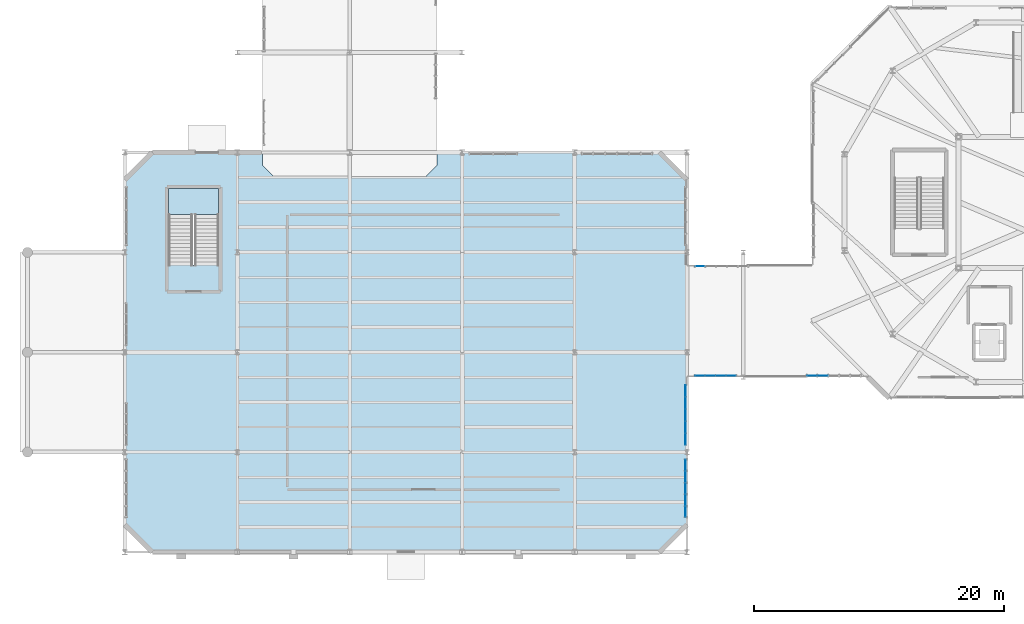
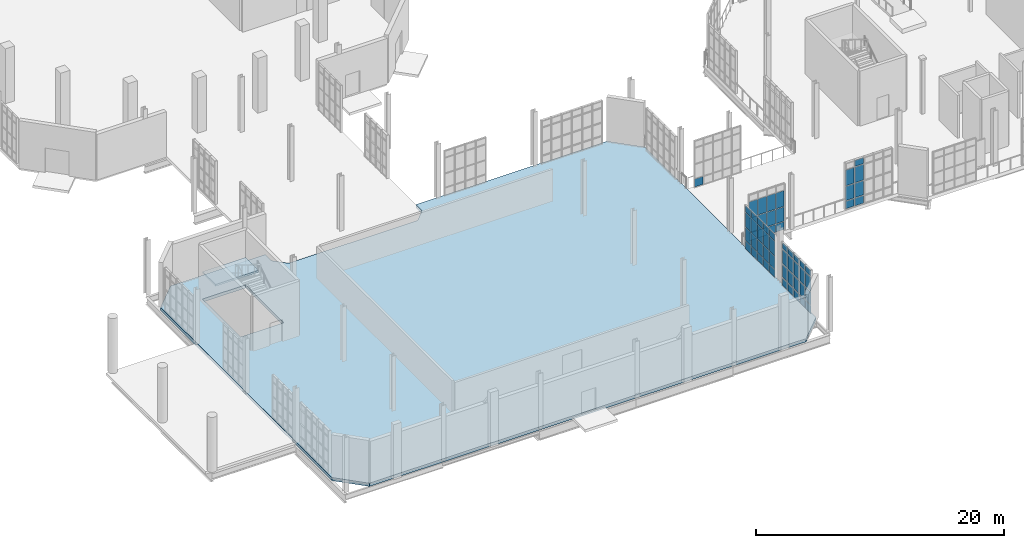
# One storey, part 142 of 189: 60 plates, 2 slabs, 6 elements without a shape of their own.
"""IFC4 building model written with IfcOpenShell, lengths in metres."""

from ifc_helpers import new_model, si_unit, direction, frame, origin, origin_2d, place, context, subcontext, project, spatial, polyline, rectangle, outline, extrude, material, layer, layer_set, type_object, element, aggregate, save


model = new_model("IFC4")

# Units and contexts
model_context = context("Model", 3, precision=1e-05, world=origin(), true_north=direction((0.0, 1.0)))
body_context = subcontext(model_context, "Body", "Model", "MODEL_VIEW")
ifc_project = project(units=[si_unit("LENGTHUNIT", "METRE"), si_unit("AREAUNIT", "SQUARE_METRE"), si_unit("VOLUMEUNIT", "CUBIC_METRE"), si_unit("PLANEANGLEUNIT", "RADIAN"), si_unit("MASSUNIT", "GRAM", prefix="KILO"), si_unit("THERMODYNAMICTEMPERATUREUNIT", "KELVIN"), si_unit("POWERUNIT", "WATT")], contexts=[model_context])

# Site, building, storey
site_placement = place(None, origin())
site = spatial("IfcSite", under=ifc_project, at=site_placement, CompositionType="ELEMENT")
building_placement = place(site_placement, origin())
building = spatial("IfcBuilding", under=site, at=building_placement, Name="Zelmaris Science Centre", CompositionType="ELEMENT")
storey_placement = place(building_placement, origin())
storey = spatial("IfcBuildingStorey", under=building, at=storey_placement, Name="L00", CompositionType="ELEMENT", Elevation=0.0)

# Curtain wall, plates
ifc_material_1 = material(Name="Anodised architectural aluminium 6063-T6", Category="aluminium")
ifc_layer_1 = layer(ifc_material_1, 0.18994140625, Name="Anodised architectural aluminium 6063-T6")
ifc_layer_set_1 = layer_set([ifc_layer_1], Name="Anodised architectural aluminium 6063-T6")
curtain_wall_type_1 = type_object("IfcCurtainWallType", Name="Curtain Wall CW-01", PredefinedType="USERDEFINED", material=ifc_layer_set_1)
curtain_wall_1_placement = place(storey_placement, origin())
curtain_wall_1 = element("IfcCurtainWall", 1, at=curtain_wall_1_placement, inside=storey, type_object=curtain_wall_type_1, Name="L00 Unitised curtain wall 121", ObjectType="GLAZED CURTAIN WALL", PredefinedType="USERDEFINED")
ifc_material_2 = material(Name="Laminated hurricane-rated low-E insulated glazing", Category="glass")
ifc_layer_2 = layer(ifc_material_2, 0.031982421875, Name="Laminated hurricane-rated low-E insulated glazing")
ifc_layer_set_2 = layer_set([ifc_layer_2], Name="Laminated hurricane-rated low-E insulated glazing")
plate_type_1 = type_object("IfcPlateType", Name="Curtain Glazing Panel CWP-1 32mm", PredefinedType="CURTAIN_PANEL", material=ifc_layer_set_2)
plate_1_placement = place(storey_placement, frame((64.86767578125, 22.119873046875, 0.05712890625), z_axis=(0.0, 0.0, 1.0), x_axis=(-0.999999999741, 2.2776442e-05, 0.0)))
plate_1 = element("IfcPlate", 2, at=plate_1_placement, type_object=plate_type_1, Name="CW-01 panel 4.1", PredefinedType="CURTAIN_PANEL", context=body_context, shape_type="SweptSolid", body=[
    extrude(rectangle(XDim=0.80615234375, YDim=0.031982421875, at=origin_2d()), origin(), (0.0, 0.0, 1.0), 0.741943359375),
])
plate_2_placement = place(storey_placement, frame((64.86767578125, 22.119873046875, 0.87109375), z_axis=(0.0, 0.0, 1.0), x_axis=(-0.999999999741, 2.2776442e-05, 0.0)))
plate_2 = element("IfcPlate", 3, at=plate_2_placement, type_object=plate_type_1, Name="CW-01 panel 4.2", PredefinedType="CURTAIN_PANEL", context=body_context, shape_type="SweptSolid", body=[
    extrude(rectangle(XDim=0.80615234375, YDim=0.031982421875, at=origin_2d()), origin(), (0.0, 0.0, 1.0), 1.385498046875),
])
plate_3_placement = place(storey_placement, frame((64.86767578125, 22.119873046875, 2.32861328125), z_axis=(0.0, 0.0, 1.0), x_axis=(-0.999999999741, 2.2776442e-05, 0.0)))
plate_3 = element("IfcPlate", 4, at=plate_3_placement, type_object=plate_type_1, Name="CW-01 panel 4.3", PredefinedType="CURTAIN_PANEL", context=body_context, shape_type="SweptSolid", body=[
    extrude(rectangle(XDim=0.80615234375, YDim=0.031982421875, at=origin_2d()), origin(), (0.0, 0.0, 1.0), 1.535400390625),
])
plate_4_placement = place(storey_placement, frame((64.86767578125, 22.119873046875, 3.93603515625), z_axis=(0.0, 0.0, 1.0), x_axis=(-0.999999999741, 2.2776442e-05, 0.0)))
plate_4 = element("IfcPlate", 5, at=plate_4_placement, type_object=plate_type_1, Name="CW-01 panel 4.4", PredefinedType="CURTAIN_PANEL", context=body_context, shape_type="SweptSolid", body=[
    extrude(rectangle(XDim=0.80615234375, YDim=0.031982421875, at=origin_2d()), origin(), (0.0, 0.0, 1.0), 0.592041015625),
])
plate_5_placement = place(storey_placement, frame((64.007568359375, 22.119873046875, 0.05712890625), z_axis=(0.0, 0.0, 1.0), x_axis=(-0.999999999741, 2.2776442e-05, 0.0)))
plate_5 = element("IfcPlate", 6, at=plate_5_placement, type_object=plate_type_1, Name="CW-01 panel 5.1", PredefinedType="CURTAIN_PANEL", context=body_context, shape_type="SweptSolid", body=[
    extrude(rectangle(XDim=0.77001953125, YDim=0.031982421875, at=origin_2d()), origin(), (0.0, 0.0, 1.0), 0.741943359375),
])
plate_6_placement = place(storey_placement, frame((64.007568359375, 22.119873046875, 0.87109375), z_axis=(0.0, 0.0, 1.0), x_axis=(-0.999999999741, 2.2776442e-05, 0.0)))
plate_6 = element("IfcPlate", 7, at=plate_6_placement, type_object=plate_type_1, Name="CW-01 panel 5.2", PredefinedType="CURTAIN_PANEL", context=body_context, shape_type="SweptSolid", body=[
    extrude(rectangle(XDim=0.77001953125, YDim=0.031982421875, at=origin_2d()), origin(), (0.0, 0.0, 1.0), 1.385498046875),
])
plate_7_placement = place(storey_placement, frame((64.007568359375, 22.119873046875, 2.32861328125), z_axis=(0.0, 0.0, 1.0), x_axis=(-0.999999999741, 2.2776442e-05, 0.0)))
plate_7 = element("IfcPlate", 8, at=plate_7_placement, type_object=plate_type_1, Name="CW-01 panel 5.3", PredefinedType="CURTAIN_PANEL", context=body_context, shape_type="SweptSolid", body=[
    extrude(rectangle(XDim=0.77001953125, YDim=0.031982421875, at=origin_2d()), origin(), (0.0, 0.0, 1.0), 1.535400390625),
])
aggregate(curtain_wall_1, [plate_1, plate_2, plate_3, plate_4, plate_5, plate_6, plate_7])

curtain_wall_2_placement = place(storey_placement, origin())
curtain_wall_2 = element("IfcCurtainWall", 9, at=curtain_wall_2_placement, inside=storey, type_object=curtain_wall_type_1, Name="L00 Unitised curtain wall 125", ObjectType="GLAZED CURTAIN WALL", PredefinedType="USERDEFINED")
plate_8_placement = place(storey_placement, frame((53.8798828125, 14.969970703125, 0.05712890625), z_axis=(0.0, 0.0, 1.0), x_axis=(-2.1186447e-05, -0.999999999776, 0.0)))
plate_8 = element("IfcPlate", 10, at=plate_8_placement, type_object=plate_type_1, Name="CW-01 panel 1.1", PredefinedType="CURTAIN_PANEL", context=body_context, shape_type="SweptSolid", body=[
    extrude(rectangle(XDim=0.8359375, YDim=0.031982421875, at=origin_2d()), origin(), (0.0, 0.0, 1.0), 0.741943359375),
])
plate_9_placement = place(storey_placement, frame((53.8798828125, 14.969970703125, 0.87109375), z_axis=(0.0, 0.0, 1.0), x_axis=(-2.1186447e-05, -0.999999999776, 0.0)))
plate_9 = element("IfcPlate", 11, at=plate_9_placement, type_object=plate_type_1, Name="CW-01 panel 1.2", PredefinedType="CURTAIN_PANEL", context=body_context, shape_type="SweptSolid", body=[
    extrude(rectangle(XDim=0.8359375, YDim=0.031982421875, at=origin_2d()), origin(), (0.0, 0.0, 1.0), 1.2509765625),
])
plate_10_placement = place(storey_placement, frame((53.8798828125, 14.969970703125, 2.194091796875), z_axis=(0.0, 0.0, 1.0), x_axis=(-2.1186447e-05, -0.999999999776, 0.0)))
plate_10 = element("IfcPlate", 12, at=plate_10_placement, type_object=plate_type_1, Name="CW-01 panel 1.3", PredefinedType="CURTAIN_PANEL", context=body_context, shape_type="SweptSolid", body=[
    extrude(rectangle(XDim=0.8359375, YDim=0.031982421875, at=origin_2d()), origin(), (0.0, 0.0, 1.0), 1.40087890625),
])
plate_11_placement = place(storey_placement, frame((53.8798828125, 14.969970703125, 3.6669921875), z_axis=(0.0, 0.0, 1.0), x_axis=(-2.1186447e-05, -0.999999999776, 0.0)))
plate_11 = element("IfcPlate", 13, at=plate_11_placement, type_object=plate_type_1, Name="CW-01 panel 1.4", PredefinedType="CURTAIN_PANEL", context=body_context, shape_type="SweptSolid", body=[
    extrude(rectangle(XDim=0.8359375, YDim=0.031982421875, at=origin_2d()), origin(), (0.0, 0.0, 1.0), 0.592041015625),
])
plate_12_placement = place(storey_placement, frame((53.8798828125, 14.0439453125, 0.05712890625), z_axis=(0.0, 0.0, 1.0), x_axis=(-2.1186447e-05, -0.999999999776, 0.0)))
plate_12 = element("IfcPlate", 14, at=plate_12_placement, type_object=plate_type_1, Name="CW-01 panel 2.1", PredefinedType="CURTAIN_PANEL", context=body_context, shape_type="SweptSolid", body=[
    extrude(rectangle(XDim=0.8720703125, YDim=0.031982421875, at=origin_2d()), origin(), (0.0, 0.0, 1.0), 0.741943359375),
])
plate_13_placement = place(storey_placement, frame((53.8798828125, 14.0439453125, 0.87109375), z_axis=(0.0, 0.0, 1.0), x_axis=(-2.1186447e-05, -0.999999999776, 0.0)))
plate_13 = element("IfcPlate", 15, at=plate_13_placement, type_object=plate_type_1, Name="CW-01 panel 2.2", PredefinedType="CURTAIN_PANEL", context=body_context, shape_type="SweptSolid", body=[
    extrude(rectangle(XDim=0.8720703125, YDim=0.031982421875, at=origin_2d()), origin(), (0.0, 0.0, 1.0), 1.2509765625),
])
plate_14_placement = place(storey_placement, frame((53.8798828125, 14.0439453125, 2.194091796875), z_axis=(0.0, 0.0, 1.0), x_axis=(-2.1186447e-05, -0.999999999776, 0.0)))
plate_14 = element("IfcPlate", 16, at=plate_14_placement, type_object=plate_type_1, Name="CW-01 panel 2.3", PredefinedType="CURTAIN_PANEL", context=body_context, shape_type="SweptSolid", body=[
    extrude(rectangle(XDim=0.8720703125, YDim=0.031982421875, at=origin_2d()), origin(), (0.0, 0.0, 1.0), 1.40087890625),
])
plate_15_placement = place(storey_placement, frame((53.8798828125, 14.0439453125, 3.6669921875), z_axis=(0.0, 0.0, 1.0), x_axis=(-2.1186447e-05, -0.999999999776, 0.0)))
plate_15 = element("IfcPlate", 17, at=plate_15_placement, type_object=plate_type_1, Name="CW-01 panel 2.4", PredefinedType="CURTAIN_PANEL", context=body_context, shape_type="SweptSolid", body=[
    extrude(rectangle(XDim=0.8720703125, YDim=0.031982421875, at=origin_2d()), origin(), (0.0, 0.0, 1.0), 0.592041015625),
])
plate_16_placement = place(storey_placement, frame((53.8798828125, 13.10009765625, 0.05712890625), z_axis=(0.0, 0.0, 1.0), x_axis=(-2.1186447e-05, -0.999999999776, 0.0)))
plate_16 = element("IfcPlate", 18, at=plate_16_placement, type_object=plate_type_1, Name="CW-01 panel 3.1", PredefinedType="CURTAIN_PANEL", context=body_context, shape_type="SweptSolid", body=[
    extrude(rectangle(XDim=0.8720703125, YDim=0.031982421875, at=origin_2d()), origin(), (0.0, 0.0, 1.0), 0.741943359375),
])
plate_17_placement = place(storey_placement, frame((53.8798828125, 13.10009765625, 0.87109375), z_axis=(0.0, 0.0, 1.0), x_axis=(-2.1186447e-05, -0.999999999776, 0.0)))
plate_17 = element("IfcPlate", 19, at=plate_17_placement, type_object=plate_type_1, Name="CW-01 panel 3.2", PredefinedType="CURTAIN_PANEL", context=body_context, shape_type="SweptSolid", body=[
    extrude(rectangle(XDim=0.8720703125, YDim=0.031982421875, at=origin_2d()), origin(), (0.0, 0.0, 1.0), 1.2509765625),
])
plate_18_placement = place(storey_placement, frame((53.8798828125, 13.10009765625, 2.194091796875), z_axis=(0.0, 0.0, 1.0), x_axis=(-2.1186447e-05, -0.999999999776, 0.0)))
plate_18 = element("IfcPlate", 20, at=plate_18_placement, type_object=plate_type_1, Name="CW-01 panel 3.3", PredefinedType="CURTAIN_PANEL", context=body_context, shape_type="SweptSolid", body=[
    extrude(rectangle(XDim=0.8720703125, YDim=0.031982421875, at=origin_2d()), origin(), (0.0, 0.0, 1.0), 1.40087890625),
])
plate_19_placement = place(storey_placement, frame((53.8798828125, 13.10009765625, 3.6669921875), z_axis=(0.0, 0.0, 1.0), x_axis=(-2.1186447e-05, -0.999999999776, 0.0)))
plate_19 = element("IfcPlate", 21, at=plate_19_placement, type_object=plate_type_1, Name="CW-01 panel 3.4", PredefinedType="CURTAIN_PANEL", context=body_context, shape_type="SweptSolid", body=[
    extrude(rectangle(XDim=0.8720703125, YDim=0.031982421875, at=origin_2d()), origin(), (0.0, 0.0, 1.0), 0.592041015625),
])
plate_20_placement = place(storey_placement, frame((53.8798828125, 12.156005859375, 0.05712890625), z_axis=(0.0, 0.0, 1.0), x_axis=(-2.1186447e-05, -0.999999999776, 0.0)))
plate_20 = element("IfcPlate", 22, at=plate_20_placement, type_object=plate_type_1, Name="CW-01 panel 4.1", PredefinedType="CURTAIN_PANEL", context=body_context, shape_type="SweptSolid", body=[
    extrude(rectangle(XDim=0.8720703125, YDim=0.031982421875, at=origin_2d()), origin(), (0.0, 0.0, 1.0), 0.741943359375),
])
plate_21_placement = place(storey_placement, frame((53.8798828125, 12.156005859375, 0.87109375), z_axis=(0.0, 0.0, 1.0), x_axis=(-2.1186447e-05, -0.999999999776, 0.0)))
plate_21 = element("IfcPlate", 23, at=plate_21_placement, type_object=plate_type_1, Name="CW-01 panel 4.2", PredefinedType="CURTAIN_PANEL", context=body_context, shape_type="SweptSolid", body=[
    extrude(rectangle(XDim=0.8720703125, YDim=0.031982421875, at=origin_2d()), origin(), (0.0, 0.0, 1.0), 1.2509765625),
])
plate_22_placement = place(storey_placement, frame((53.8798828125, 12.156005859375, 2.194091796875), z_axis=(0.0, 0.0, 1.0), x_axis=(-2.1186447e-05, -0.999999999776, 0.0)))
plate_22 = element("IfcPlate", 24, at=plate_22_placement, type_object=plate_type_1, Name="CW-01 panel 4.3", PredefinedType="CURTAIN_PANEL", context=body_context, shape_type="SweptSolid", body=[
    extrude(rectangle(XDim=0.8720703125, YDim=0.031982421875, at=origin_2d()), origin(), (0.0, 0.0, 1.0), 1.40087890625),
])
plate_23_placement = place(storey_placement, frame((53.8798828125, 12.156005859375, 3.6669921875), z_axis=(0.0, 0.0, 1.0), x_axis=(-2.1186447e-05, -0.999999999776, 0.0)))
plate_23 = element("IfcPlate", 25, at=plate_23_placement, type_object=plate_type_1, Name="CW-01 panel 4.4", PredefinedType="CURTAIN_PANEL", context=body_context, shape_type="SweptSolid", body=[
    extrude(rectangle(XDim=0.8720703125, YDim=0.031982421875, at=origin_2d()), origin(), (0.0, 0.0, 1.0), 0.592041015625),
])
plate_24_placement = place(storey_placement, frame((53.8798828125, 11.22998046875, 0.05712890625), z_axis=(0.0, 0.0, 1.0), x_axis=(-2.1186447e-05, -0.999999999776, 0.0)))
plate_24 = element("IfcPlate", 26, at=plate_24_placement, type_object=plate_type_1, Name="CW-01 panel 5.1", PredefinedType="CURTAIN_PANEL", context=body_context, shape_type="SweptSolid", body=[
    extrude(rectangle(XDim=0.8359375, YDim=0.031982421875, at=origin_2d()), origin(), (0.0, 0.0, 1.0), 0.741943359375),
])
plate_25_placement = place(storey_placement, frame((53.8798828125, 11.22998046875, 0.87109375), z_axis=(0.0, 0.0, 1.0), x_axis=(-2.1186447e-05, -0.999999999776, 0.0)))
plate_25 = element("IfcPlate", 27, at=plate_25_placement, type_object=plate_type_1, Name="CW-01 panel 5.2", PredefinedType="CURTAIN_PANEL", context=body_context, shape_type="SweptSolid", body=[
    extrude(rectangle(XDim=0.8359375, YDim=0.031982421875, at=origin_2d()), origin(), (0.0, 0.0, 1.0), 1.2509765625),
])
plate_26_placement = place(storey_placement, frame((53.8798828125, 11.22998046875, 2.194091796875), z_axis=(0.0, 0.0, 1.0), x_axis=(-2.1186447e-05, -0.999999999776, 0.0)))
plate_26 = element("IfcPlate", 28, at=plate_26_placement, type_object=plate_type_1, Name="CW-01 panel 5.3", PredefinedType="CURTAIN_PANEL", context=body_context, shape_type="SweptSolid", body=[
    extrude(rectangle(XDim=0.8359375, YDim=0.031982421875, at=origin_2d()), origin(), (0.0, 0.0, 1.0), 1.40087890625),
])
plate_27_placement = place(storey_placement, frame((53.8798828125, 11.22998046875, 3.6669921875), z_axis=(0.0, 0.0, 1.0), x_axis=(-2.1186447e-05, -0.999999999776, 0.0)))
plate_27 = element("IfcPlate", 29, at=plate_27_placement, type_object=plate_type_1, Name="CW-01 panel 5.4", PredefinedType="CURTAIN_PANEL", context=body_context, shape_type="SweptSolid", body=[
    extrude(rectangle(XDim=0.8359375, YDim=0.031982421875, at=origin_2d()), origin(), (0.0, 0.0, 1.0), 0.592041015625),
])
aggregate(curtain_wall_2, [plate_8, plate_9, plate_10, plate_11, plate_12, plate_13, plate_14, plate_15, plate_16, plate_17, plate_18, plate_19, plate_20, plate_21, plate_22, plate_23, plate_24, plate_25, plate_26, plate_27])

# Curtain wall, plate
ifc_layer_3 = layer(ifc_material_1, 0.2099609375, Name="Anodised architectural aluminium 6063-T6")
ifc_layer_set_3 = layer_set([ifc_layer_3], Name="Anodised architectural aluminium 6063-T6")
curtain_wall_type_2 = type_object("IfcCurtainWallType", Name="Curtain Wall CW-03", PredefinedType="USERDEFINED", material=ifc_layer_set_3)
curtain_wall_3_placement = place(storey_placement, origin())
curtain_wall_3 = element("IfcCurtainWall", 30, at=curtain_wall_3_placement, inside=storey, type_object=curtain_wall_type_2, Name="L00 Unitised curtain wall 47", ObjectType="GLAZED CURTAIN WALL", PredefinedType="USERDEFINED")
ifc_layer_4 = layer(ifc_material_2, 0.02587890625, Name="Laminated hurricane-rated low-E insulated glazing")
ifc_layer_set_4 = layer_set([ifc_layer_4], Name="Laminated hurricane-rated low-E insulated glazing")
plate_type_2 = type_object("IfcPlateType", Name="Curtain Glazing Panel CWP-3 26mm", PredefinedType="CURTAIN_PANEL", material=ifc_layer_set_4)
plate_28_placement = place(storey_placement, frame((55.037109375, 30.881103515625, 0.0419921875), z_axis=(0.0, 0.0, 1.0), x_axis=(0.999999993381, -0.000115053622, 0.0)))
plate_28 = element("IfcPlate", 31, at=plate_28_placement, type_object=plate_type_2, Name="CW-03 panel 1.1", PredefinedType="CURTAIN_PANEL", context=body_context, shape_type="SweptSolid", body=[
    extrude(rectangle(XDim=0.78369140625, YDim=0.02587890625, at=origin_2d()), origin(), (0.0, 0.0, 1.0), 0.764404296875),
])
aggregate(curtain_wall_3, [plate_28])

# Curtain wall, plates
curtain_wall_4_placement = place(storey_placement, origin())
curtain_wall_4 = element("IfcCurtainWall", 32, at=curtain_wall_4_placement, inside=storey, type_object=curtain_wall_type_2, Name="L00 Unitised curtain wall 123", ObjectType="GLAZED CURTAIN WALL", PredefinedType="USERDEFINED")
plate_29_placement = place(storey_placement, frame((57.525634765625, 22.119873046875, 0.0419921875), z_axis=(0.0, 0.0, 1.0), x_axis=(-0.999999999557, 2.9761913e-05, 0.0)))
plate_29 = element("IfcPlate", 33, at=plate_29_placement, type_object=plate_type_2, Name="CW-03 panel 1.1", PredefinedType="CURTAIN_PANEL", context=body_context, shape_type="SweptSolid", body=[
    extrude(rectangle(XDim=0.75439453125, YDim=0.02587890625, at=origin_2d()), origin(), (0.0, 0.0, 1.0), 0.764404296875),
])
plate_30_placement = place(storey_placement, frame((57.525634765625, 22.119873046875, 0.863525390625), z_axis=(0.0, 0.0, 1.0), x_axis=(-0.999999999557, 2.9761913e-05, 0.0)))
plate_30 = element("IfcPlate", 34, at=plate_30_placement, type_object=plate_type_2, Name="CW-03 panel 1.2", PredefinedType="CURTAIN_PANEL", context=body_context, shape_type="SweptSolid", body=[
    extrude(rectangle(XDim=0.75439453125, YDim=0.02587890625, at=origin_2d()), origin(), (0.0, 0.0, 1.0), 1.400390625),
])
plate_31_placement = place(storey_placement, frame((57.525634765625, 22.119873046875, 2.32080078125), z_axis=(0.0, 0.0, 1.0), x_axis=(-0.999999999557, 2.9761913e-05, 0.0)))
plate_31 = element("IfcPlate", 35, at=plate_31_placement, type_object=plate_type_2, Name="CW-03 panel 1.3", PredefinedType="CURTAIN_PANEL", context=body_context, shape_type="SweptSolid", body=[
    extrude(rectangle(XDim=0.75439453125, YDim=0.02587890625, at=origin_2d()), origin(), (0.0, 0.0, 1.0), 1.550537109375),
])
plate_32_placement = place(storey_placement, frame((56.699951171875, 22.119873046875, 0.0419921875), z_axis=(0.0, 0.0, 1.0), x_axis=(-0.999999999557, 2.9761913e-05, 0.0)))
plate_32 = element("IfcPlate", 36, at=plate_32_placement, type_object=plate_type_2, Name="CW-03 panel 2.1", PredefinedType="CURTAIN_PANEL", context=body_context, shape_type="SweptSolid", body=[
    extrude(rectangle(XDim=0.782958984375, YDim=0.02587890625, at=origin_2d()), origin(), (0.0, 0.0, 1.0), 0.764404296875),
])
plate_33_placement = place(storey_placement, frame((56.699951171875, 22.119873046875, 0.863525390625), z_axis=(0.0, 0.0, 1.0), x_axis=(-0.999999999557, 2.9761913e-05, 0.0)))
plate_33 = element("IfcPlate", 37, at=plate_33_placement, type_object=plate_type_2, Name="CW-03 panel 2.2", PredefinedType="CURTAIN_PANEL", context=body_context, shape_type="SweptSolid", body=[
    extrude(rectangle(XDim=0.782958984375, YDim=0.02587890625, at=origin_2d()), origin(), (0.0, 0.0, 1.0), 1.400390625),
])
plate_34_placement = place(storey_placement, frame((56.699951171875, 22.119873046875, 2.32080078125), z_axis=(0.0, 0.0, 1.0), x_axis=(-0.999999999557, 2.9761913e-05, 0.0)))
plate_34 = element("IfcPlate", 38, at=plate_34_placement, type_object=plate_type_2, Name="CW-03 panel 2.3", PredefinedType="CURTAIN_PANEL", context=body_context, shape_type="SweptSolid", body=[
    extrude(rectangle(XDim=0.782958984375, YDim=0.02587890625, at=origin_2d()), origin(), (0.0, 0.0, 1.0), 1.550537109375),
])
plate_35_placement = place(storey_placement, frame((55.860107421875, 22.119873046875, 0.0419921875), z_axis=(0.0, 0.0, 1.0), x_axis=(-0.999999999557, 2.9761913e-05, 0.0)))
plate_35 = element("IfcPlate", 39, at=plate_35_placement, type_object=plate_type_2, Name="CW-03 panel 3.1", PredefinedType="CURTAIN_PANEL", context=body_context, shape_type="SweptSolid", body=[
    extrude(rectangle(XDim=0.782958984375, YDim=0.02587890625, at=origin_2d()), origin(), (0.0, 0.0, 1.0), 0.764404296875),
])
plate_36_placement = place(storey_placement, frame((55.860107421875, 22.119873046875, 0.863525390625), z_axis=(0.0, 0.0, 1.0), x_axis=(-0.999999999557, 2.9761913e-05, 0.0)))
plate_36 = element("IfcPlate", 40, at=plate_36_placement, type_object=plate_type_2, Name="CW-03 panel 3.2", PredefinedType="CURTAIN_PANEL", context=body_context, shape_type="SweptSolid", body=[
    extrude(rectangle(XDim=0.782958984375, YDim=0.02587890625, at=origin_2d()), origin(), (0.0, 0.0, 1.0), 1.400390625),
])
plate_37_placement = place(storey_placement, frame((55.860107421875, 22.119873046875, 2.32080078125), z_axis=(0.0, 0.0, 1.0), x_axis=(-0.999999999557, 2.9761913e-05, 0.0)))
plate_37 = element("IfcPlate", 41, at=plate_37_placement, type_object=plate_type_2, Name="CW-03 panel 3.3", PredefinedType="CURTAIN_PANEL", context=body_context, shape_type="SweptSolid", body=[
    extrude(rectangle(XDim=0.782958984375, YDim=0.02587890625, at=origin_2d()), origin(), (0.0, 0.0, 1.0), 1.550537109375),
])
plate_38_placement = place(storey_placement, frame((55.0341796875, 22.119873046875, 0.0419921875), z_axis=(0.0, 0.0, 1.0), x_axis=(-0.999999999557, 2.9761913e-05, 0.0)))
plate_38 = element("IfcPlate", 42, at=plate_38_placement, type_object=plate_type_2, Name="CW-03 panel 4.1", PredefinedType="CURTAIN_PANEL", context=body_context, shape_type="SweptSolid", body=[
    extrude(rectangle(XDim=0.75439453125, YDim=0.02587890625, at=origin_2d()), origin(), (0.0, 0.0, 1.0), 0.764404296875),
])
plate_39_placement = place(storey_placement, frame((55.0341796875, 22.119873046875, 0.863525390625), z_axis=(0.0, 0.0, 1.0), x_axis=(-0.999999999557, 2.9761913e-05, 0.0)))
plate_39 = element("IfcPlate", 43, at=plate_39_placement, type_object=plate_type_2, Name="CW-03 panel 4.2", PredefinedType="CURTAIN_PANEL", context=body_context, shape_type="SweptSolid", body=[
    extrude(rectangle(XDim=0.75439453125, YDim=0.02587890625, at=origin_2d()), origin(), (0.0, 0.0, 1.0), 1.400390625),
])
plate_40_placement = place(storey_placement, frame((55.0341796875, 22.119873046875, 2.32080078125), z_axis=(0.0, 0.0, 1.0), x_axis=(-0.999999999557, 2.9761913e-05, 0.0)))
plate_40 = element("IfcPlate", 44, at=plate_40_placement, type_object=plate_type_2, Name="CW-03 panel 4.3", PredefinedType="CURTAIN_PANEL", context=body_context, shape_type="SweptSolid", body=[
    extrude(rectangle(XDim=0.75439453125, YDim=0.02587890625, at=origin_2d()), origin(), (0.0, 0.0, 1.0), 1.550537109375),
])
aggregate(curtain_wall_4, [plate_29, plate_30, plate_31, plate_32, plate_33, plate_34, plate_35, plate_36, plate_37, plate_38, plate_39, plate_40])

ifc_layer_5 = layer(ifc_material_1, 0.219970703125, Name="Anodised architectural aluminium 6063-T6")
ifc_layer_set_5 = layer_set([ifc_layer_5], Name="Anodised architectural aluminium 6063-T6")
curtain_wall_type_3 = type_object("IfcCurtainWallType", Name="Curtain Wall CW-04", PredefinedType="USERDEFINED", material=ifc_layer_set_5)
curtain_wall_5_placement = place(storey_placement, origin())
curtain_wall_5 = element("IfcCurtainWall", 45, at=curtain_wall_5_placement, inside=storey, type_object=curtain_wall_type_3, Name="L00 Unitised curtain wall 124", ObjectType="GLAZED CURTAIN WALL", PredefinedType="USERDEFINED")
ifc_layer_6 = layer(ifc_material_2, 0.02392578125, Name="Laminated hurricane-rated low-E insulated glazing")
ifc_layer_set_6 = layer_set([ifc_layer_6], Name="Laminated hurricane-rated low-E insulated glazing")
plate_type_3 = type_object("IfcPlateType", Name="Curtain Glazing Panel CWP-4 24mm", PredefinedType="CURTAIN_PANEL", material=ifc_layer_set_6)
plate_41_placement = place(storey_placement, frame((53.8798828125, 20.90087890625, 0.037109375), z_axis=(0.0, 0.0, 1.0), x_axis=(0.0, -1.0, 0.0)))
plate_41 = element("IfcPlate", 46, at=plate_41_placement, type_object=plate_type_3, Name="CW-04 panel 1.1", PredefinedType="CURTAIN_PANEL", context=body_context, shape_type="SweptSolid", body=[
    extrude(rectangle(XDim=0.89404296875, YDim=0.02392578125, at=origin_2d()), origin(), (0.0, 0.0, 1.0), 0.77197265625),
])
plate_42_placement = place(storey_placement, frame((53.8798828125, 20.90087890625, 0.861083984375), z_axis=(0.0, 0.0, 1.0), x_axis=(0.0, -1.0, 0.0)))
plate_42 = element("IfcPlate", 47, at=plate_42_placement, type_object=plate_type_3, Name="CW-04 panel 1.2", PredefinedType="CURTAIN_PANEL", context=body_context, shape_type="SweptSolid", body=[
    extrude(rectangle(XDim=0.89404296875, YDim=0.02392578125, at=origin_2d()), origin(), (0.0, 0.0, 1.0), 1.27099609375),
])
plate_43_placement = place(storey_placement, frame((53.8798828125, 20.90087890625, 2.18408203125), z_axis=(0.0, 0.0, 1.0), x_axis=(0.0, -1.0, 0.0)))
plate_43 = element("IfcPlate", 48, at=plate_43_placement, type_object=plate_type_3, Name="CW-04 panel 1.3", PredefinedType="CURTAIN_PANEL", context=body_context, shape_type="SweptSolid", body=[
    extrude(rectangle(XDim=0.89404296875, YDim=0.02392578125, at=origin_2d()), origin(), (0.0, 0.0, 1.0), 1.4208984375),
])
plate_44_placement = place(storey_placement, frame((53.8798828125, 20.90087890625, 3.656982421875), z_axis=(0.0, 0.0, 1.0), x_axis=(0.0, -1.0, 0.0)))
plate_44 = element("IfcPlate", 49, at=plate_44_placement, type_object=plate_type_3, Name="CW-04 panel 1.4", PredefinedType="CURTAIN_PANEL", context=body_context, shape_type="SweptSolid", body=[
    extrude(rectangle(XDim=0.89404296875, YDim=0.02392578125, at=origin_2d()), origin(), (0.0, 0.0, 1.0), 0.6220703125),
])
plate_45_placement = place(storey_placement, frame((53.8798828125, 19.94189453125, 0.037109375), z_axis=(0.0, 0.0, 1.0), x_axis=(0.0, -1.0, 0.0)))
plate_45 = element("IfcPlate", 50, at=plate_45_placement, type_object=plate_type_3, Name="CW-04 panel 2.1", PredefinedType="CURTAIN_PANEL", context=body_context, shape_type="SweptSolid", body=[
    extrude(rectangle(XDim=0.919921875, YDim=0.02392578125, at=origin_2d()), origin(), (0.0, 0.0, 1.0), 0.77197265625),
])
plate_46_placement = place(storey_placement, frame((53.8798828125, 19.94189453125, 0.861083984375), z_axis=(0.0, 0.0, 1.0), x_axis=(0.0, -1.0, 0.0)))
plate_46 = element("IfcPlate", 51, at=plate_46_placement, type_object=plate_type_3, Name="CW-04 panel 2.2", PredefinedType="CURTAIN_PANEL", context=body_context, shape_type="SweptSolid", body=[
    extrude(rectangle(XDim=0.919921875, YDim=0.02392578125, at=origin_2d()), origin(), (0.0, 0.0, 1.0), 1.27099609375),
])
plate_47_placement = place(storey_placement, frame((53.8798828125, 19.94189453125, 2.18408203125), z_axis=(0.0, 0.0, 1.0), x_axis=(0.0, -1.0, 0.0)))
plate_47 = element("IfcPlate", 52, at=plate_47_placement, type_object=plate_type_3, Name="CW-04 panel 2.3", PredefinedType="CURTAIN_PANEL", context=body_context, shape_type="SweptSolid", body=[
    extrude(rectangle(XDim=0.919921875, YDim=0.02392578125, at=origin_2d()), origin(), (0.0, 0.0, 1.0), 1.4208984375),
])
plate_48_placement = place(storey_placement, frame((53.8798828125, 19.94189453125, 3.656982421875), z_axis=(0.0, 0.0, 1.0), x_axis=(0.0, -1.0, 0.0)))
plate_48 = element("IfcPlate", 53, at=plate_48_placement, type_object=plate_type_3, Name="CW-04 panel 2.4", PredefinedType="CURTAIN_PANEL", context=body_context, shape_type="SweptSolid", body=[
    extrude(rectangle(XDim=0.919921875, YDim=0.02392578125, at=origin_2d()), origin(), (0.0, 0.0, 1.0), 0.6220703125),
])
plate_49_placement = place(storey_placement, frame((53.8798828125, 18.969970703125, 0.037109375), z_axis=(0.0, 0.0, 1.0), x_axis=(0.0, -1.0, 0.0)))
plate_49 = element("IfcPlate", 54, at=plate_49_placement, type_object=plate_type_3, Name="CW-04 panel 3.1", PredefinedType="CURTAIN_PANEL", context=body_context, shape_type="SweptSolid", body=[
    extrude(rectangle(XDim=0.919921875, YDim=0.02392578125, at=origin_2d()), origin(), (0.0, 0.0, 1.0), 0.77197265625),
])
plate_50_placement = place(storey_placement, frame((53.8798828125, 18.969970703125, 0.861083984375), z_axis=(0.0, 0.0, 1.0), x_axis=(0.0, -1.0, 0.0)))
plate_50 = element("IfcPlate", 55, at=plate_50_placement, type_object=plate_type_3, Name="CW-04 panel 3.2", PredefinedType="CURTAIN_PANEL", context=body_context, shape_type="SweptSolid", body=[
    extrude(rectangle(XDim=0.919921875, YDim=0.02392578125, at=origin_2d()), origin(), (0.0, 0.0, 1.0), 1.27099609375),
])
plate_51_placement = place(storey_placement, frame((53.8798828125, 18.969970703125, 2.18408203125), z_axis=(0.0, 0.0, 1.0), x_axis=(0.0, -1.0, 0.0)))
plate_51 = element("IfcPlate", 56, at=plate_51_placement, type_object=plate_type_3, Name="CW-04 panel 3.3", PredefinedType="CURTAIN_PANEL", context=body_context, shape_type="SweptSolid", body=[
    extrude(rectangle(XDim=0.919921875, YDim=0.02392578125, at=origin_2d()), origin(), (0.0, 0.0, 1.0), 1.4208984375),
])
plate_52_placement = place(storey_placement, frame((53.8798828125, 18.969970703125, 3.656982421875), z_axis=(0.0, 0.0, 1.0), x_axis=(0.0, -1.0, 0.0)))
plate_52 = element("IfcPlate", 57, at=plate_52_placement, type_object=plate_type_3, Name="CW-04 panel 3.4", PredefinedType="CURTAIN_PANEL", context=body_context, shape_type="SweptSolid", body=[
    extrude(rectangle(XDim=0.919921875, YDim=0.02392578125, at=origin_2d()), origin(), (0.0, 0.0, 1.0), 0.6220703125),
])
plate_53_placement = place(storey_placement, frame((53.8798828125, 17.998046875, 0.037109375), z_axis=(0.0, 0.0, 1.0), x_axis=(0.0, -1.0, 0.0)))
plate_53 = element("IfcPlate", 58, at=plate_53_placement, type_object=plate_type_3, Name="CW-04 panel 4.1", PredefinedType="CURTAIN_PANEL", context=body_context, shape_type="SweptSolid", body=[
    extrude(rectangle(XDim=0.919921875, YDim=0.02392578125, at=origin_2d()), origin(), (0.0, 0.0, 1.0), 0.77197265625),
])
plate_54_placement = place(storey_placement, frame((53.8798828125, 17.998046875, 0.861083984375), z_axis=(0.0, 0.0, 1.0), x_axis=(0.0, -1.0, 0.0)))
plate_54 = element("IfcPlate", 59, at=plate_54_placement, type_object=plate_type_3, Name="CW-04 panel 4.2", PredefinedType="CURTAIN_PANEL", context=body_context, shape_type="SweptSolid", body=[
    extrude(rectangle(XDim=0.919921875, YDim=0.02392578125, at=origin_2d()), origin(), (0.0, 0.0, 1.0), 1.27099609375),
])
plate_55_placement = place(storey_placement, frame((53.8798828125, 17.998046875, 2.18408203125), z_axis=(0.0, 0.0, 1.0), x_axis=(0.0, -1.0, 0.0)))
plate_55 = element("IfcPlate", 60, at=plate_55_placement, type_object=plate_type_3, Name="CW-04 panel 4.3", PredefinedType="CURTAIN_PANEL", context=body_context, shape_type="SweptSolid", body=[
    extrude(rectangle(XDim=0.919921875, YDim=0.02392578125, at=origin_2d()), origin(), (0.0, 0.0, 1.0), 1.4208984375),
])
plate_56_placement = place(storey_placement, frame((53.8798828125, 17.998046875, 3.656982421875), z_axis=(0.0, 0.0, 1.0), x_axis=(0.0, -1.0, 0.0)))
plate_56 = element("IfcPlate", 61, at=plate_56_placement, type_object=plate_type_3, Name="CW-04 panel 4.4", PredefinedType="CURTAIN_PANEL", context=body_context, shape_type="SweptSolid", body=[
    extrude(rectangle(XDim=0.919921875, YDim=0.02392578125, at=origin_2d()), origin(), (0.0, 0.0, 1.0), 0.6220703125),
])
plate_57_placement = place(storey_placement, frame((53.8798828125, 17.0390625, 0.037109375), z_axis=(0.0, 0.0, 1.0), x_axis=(0.0, -1.0, 0.0)))
plate_57 = element("IfcPlate", 62, at=plate_57_placement, type_object=plate_type_3, Name="CW-04 panel 5.1", PredefinedType="CURTAIN_PANEL", context=body_context, shape_type="SweptSolid", body=[
    extrude(rectangle(XDim=0.89404296875, YDim=0.02392578125, at=origin_2d()), origin(), (0.0, 0.0, 1.0), 0.77197265625),
])
plate_58_placement = place(storey_placement, frame((53.8798828125, 17.0390625, 0.861083984375), z_axis=(0.0, 0.0, 1.0), x_axis=(0.0, -1.0, 0.0)))
plate_58 = element("IfcPlate", 63, at=plate_58_placement, type_object=plate_type_3, Name="CW-04 panel 5.2", PredefinedType="CURTAIN_PANEL", context=body_context, shape_type="SweptSolid", body=[
    extrude(rectangle(XDim=0.89404296875, YDim=0.02392578125, at=origin_2d()), origin(), (0.0, 0.0, 1.0), 1.27099609375),
])
plate_59_placement = place(storey_placement, frame((53.8798828125, 17.0390625, 2.18408203125), z_axis=(0.0, 0.0, 1.0), x_axis=(0.0, -1.0, 0.0)))
plate_59 = element("IfcPlate", 64, at=plate_59_placement, type_object=plate_type_3, Name="CW-04 panel 5.3", PredefinedType="CURTAIN_PANEL", context=body_context, shape_type="SweptSolid", body=[
    extrude(rectangle(XDim=0.89404296875, YDim=0.02392578125, at=origin_2d()), origin(), (0.0, 0.0, 1.0), 1.4208984375),
])
plate_60_placement = place(storey_placement, frame((53.8798828125, 17.0390625, 3.656982421875), z_axis=(0.0, 0.0, 1.0), x_axis=(0.0, -1.0, 0.0)))
plate_60 = element("IfcPlate", 65, at=plate_60_placement, type_object=plate_type_3, Name="CW-04 panel 5.4", PredefinedType="CURTAIN_PANEL", context=body_context, shape_type="SweptSolid", body=[
    extrude(rectangle(XDim=0.89404296875, YDim=0.02392578125, at=origin_2d()), origin(), (0.0, 0.0, 1.0), 0.6220703125),
])
aggregate(curtain_wall_5, [plate_41, plate_42, plate_43, plate_44, plate_45, plate_46, plate_47, plate_48, plate_49, plate_50, plate_51, plate_52, plate_53, plate_54, plate_55, plate_56, plate_57, plate_58, plate_59, plate_60])

# Slab
ifc_material_3 = material(Name="Concrete C35/45", Category="concrete")
ifc_layer_7 = layer(ifc_material_3, 0.31005859375, Name="Concrete C35/45")
ifc_layer_set_7 = layer_set([ifc_layer_7], Name="Concrete C35/45")
slab_type_1 = type_object("IfcSlabType", Name="Slab SL-FL310 310mm", PredefinedType="FLOOR", material=ifc_layer_set_7)
slab_1_placement = place(storey_placement, frame((0.0, 0.0, -0.31005859375)))
element("IfcSlab", 66, at=slab_1_placement, inside=storey, type_object=slab_type_1, Name="L00 Large-format theatre slab", PredefinedType="FLOOR", context=body_context, shape_type="SweptSolid", body=[
    extrude(outline(polyline([(51.800048828125, 40.0), (54.0, 37.800048828125), (54.0, 10.199951171875), (51.800048828125, 8.0), (11.199951171875, 8.0), (9.0, 10.199951171875), (9.0, 37.800048828125), (11.199951171875, 40.0), (20.00390625, 40.0), (20.00390625, 39.001708984375), (21.001708984375, 38.00390625), (32.998291015625, 38.00390625), (33.99609375, 39.001708984375), (33.99609375, 40.0), (51.800048828125, 40.0)]), holes=[polyline([(16.5, 30.969970703125), (16.5, 37.10009765625), (12.5, 37.10009765625), (12.5, 30.969970703125), (16.5, 30.969970703125)])]), origin(), (0.0, 0.0, 1.0), 0.31005859375),
])

# Stair, slab
ifc_material_4 = material(Name="Concrete C40/50", Category="concrete")
stair_type = type_object("IfcStairType", Name="Exit Stair ST-A W1900", PredefinedType="HALF_TURN_STAIR", material=ifc_material_4)
stair_placement = place(storey_placement, origin())
stair = element("IfcStair", 67, at=stair_placement, inside=storey, type_object=stair_type, Name="L00 Exit Stair Core ST-6", PredefinedType="HALF_TURN_STAIR")
ifc_layer_8 = layer(ifc_material_3, 0.18994140625, Name="Concrete C35/45")
ifc_layer_set_8 = layer_set([ifc_layer_8], Name="Concrete C35/45")
slab_type_2 = type_object("IfcSlabType", Name="Slab SL-LD190 190mm", PredefinedType="LANDING", material=ifc_layer_set_8)
slab_2_placement = place(storey_placement, frame((0.0, 0.0, 2.510009765625)))
slab_2 = element("IfcSlab", 68, at=slab_2_placement, type_object=slab_type_2, Name="ST-6 landing 1", PredefinedType="LANDING", context=body_context, shape_type="SweptSolid", body=[
    extrude(outline(polyline([(16.5, 35.010009765625), (16.5, 37.10009765625), (12.5, 37.10009765625), (12.5, 35.010009765625), (16.5, 35.010009765625)])), origin(), (0.0, 0.0, 1.0), 0.18994140625),
])
aggregate(stair, [slab_2])

save(model, "model.ifc")
